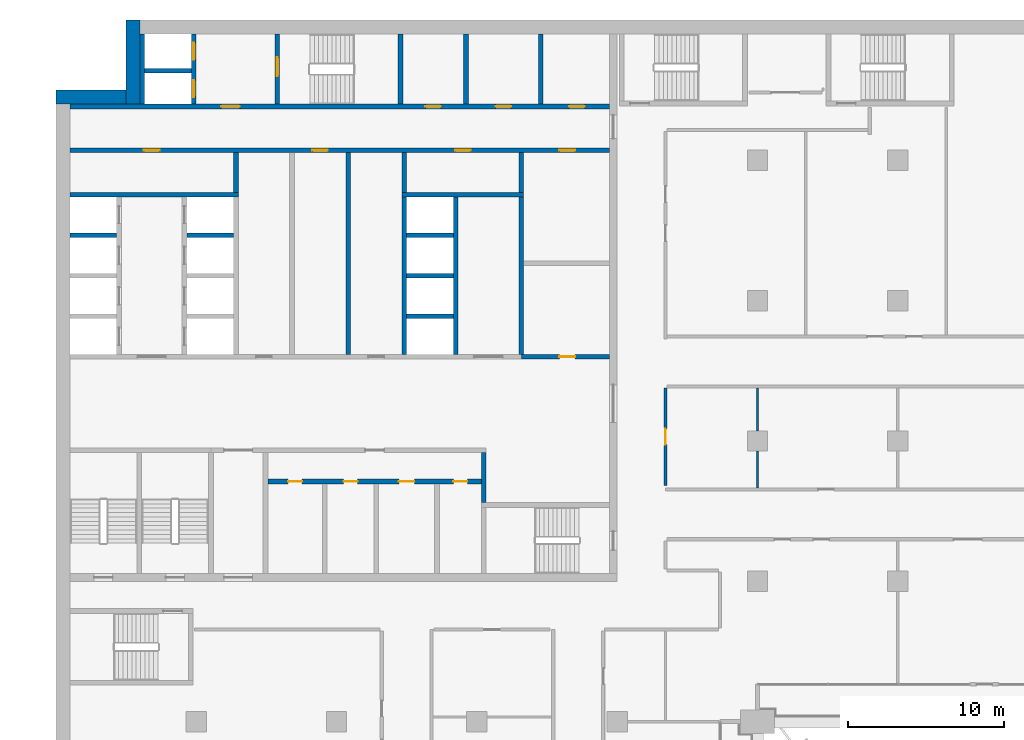
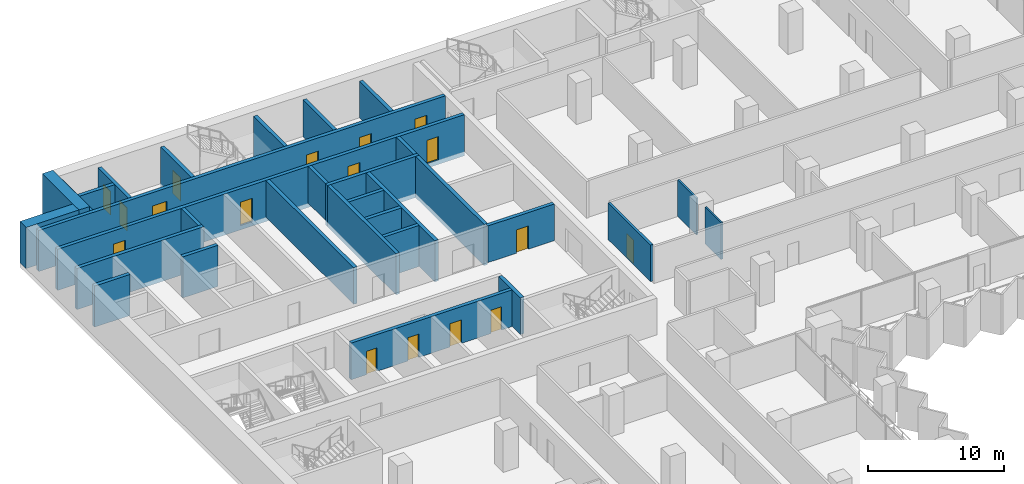
# One storey, part 13 of 23: 31 walls, 17 doors, 17 openings.
"""IFC4 building model written with IfcOpenShell, lengths in metres."""

from ifc_helpers import new_model, si_unit, direction, frame, frame_2d, origin, place, context, subcontext, project, spatial, rectangle, extrude, material, layer, layer_set, type_object, element, fill, save


model = new_model("IFC4")

# Units and contexts
model_context = context("Model", 3, precision=1e-05, world=origin(), true_north=direction((0.0, 1.0)))
body_context = subcontext(model_context, "Body", "Model", "MODEL_VIEW")
ifc_project = project(units=[si_unit("LENGTHUNIT", "METRE"), si_unit("AREAUNIT", "SQUARE_METRE"), si_unit("VOLUMEUNIT", "CUBIC_METRE"), si_unit("PLANEANGLEUNIT", "RADIAN"), si_unit("MASSUNIT", "GRAM", prefix="KILO")], contexts=[model_context])

# Site, building, storey
site_placement = place(None, origin())
site = spatial("IfcSite", under=ifc_project, at=site_placement, CompositionType="ELEMENT")
building_placement = place(site_placement, origin())
building = spatial("IfcBuilding", under=site, at=building_placement, Name="Hunhe Ridgeline Campus", CompositionType="ELEMENT")
storey_placement = place(building_placement, frame((0.0, 0.0, 99.60009765625)))
storey = spatial("IfcBuildingStorey", under=building, at=storey_placement, Name="L24", CompositionType="ELEMENT", Elevation=99.60009765625)

# Wall, openings, doors
ifc_material_1 = material(Name="Masonry concrete blockwork", Category="masonry")
ifc_layer_1 = layer(ifc_material_1, 0.300048828125)
ifc_layer_set_1 = layer_set([ifc_layer_1], Name="Core room partition 300 concrete block")
wall_type_1 = type_object("IfcWallType", Name="Core room partition 300 concrete block", PredefinedType="PARTITIONING", material=ifc_layer_set_1)
wall_1_placement = place(storey_placement, frame((13.60009765625, 69.39990234375, 0.0), z_axis=(0.0, 0.0, 1.0), x_axis=(1.0, 0.0, 0.0)))
wall_1 = element("IfcWall", 1, at=wall_1_placement, inside=storey, type_object=wall_type_1, Name="L24 core partition 9", PredefinedType="PARTITIONING", context=body_context, shape_type="SweptSolid", body=[
    extrude(rectangle(XDim=13.699951171875, YDim=0.300048828125, at=frame_2d((6.85009765625, 0.0))), origin(), (0.0, 0.0, 1.0), 3.2998046875),
])
opening_1_placement = place(wall_1_placement, frame((1.300048828125, 0.0, 0.0)))
opening_1 = element("IfcOpeningElement", 2, at=opening_1_placement, cuts=wall_1, Name="Opening CD8", PredefinedType="OPENING", context=body_context, shape_type="SweptSolid", body=[
    extrude(rectangle(XDim=0.89990234375, YDim=2.10009765625, at=frame_2d((0.449951171875, 1.050048828125))), frame((0.0, 0.14990234375, 0.0), z_axis=(0.0, -1.0, 0.0), x_axis=(1.0, 0.0, 0.0)), (0.0, 0.0, 1.0), 0.300048828125),
])
opening_2_placement = place(wall_1_placement, frame((4.85009765625, 0.0, 0.0)))
opening_2 = element("IfcOpeningElement", 3, at=opening_2_placement, cuts=wall_1, Name="Opening CD9", PredefinedType="OPENING", context=body_context, shape_type="SweptSolid", body=[
    extrude(rectangle(XDim=0.89990234375, YDim=2.10009765625, at=frame_2d((0.449951171875, 1.050048828125))), frame((0.0, 0.14990234375, 0.0), z_axis=(0.0, -1.0, 0.0), x_axis=(1.0, 0.0, 0.0)), (0.0, 0.0, 1.0), 0.300048828125),
])
opening_3_placement = place(wall_1_placement, frame((8.39990234375, 0.0, 0.0)))
opening_3 = element("IfcOpeningElement", 4, at=opening_3_placement, cuts=wall_1, Name="Opening CD10", PredefinedType="OPENING", context=body_context, shape_type="SweptSolid", body=[
    extrude(rectangle(XDim=1.0, YDim=2.10009765625, at=frame_2d((0.5, 1.050048828125))), frame((0.0, 0.14990234375, 0.0), z_axis=(0.0, -1.0, 0.0), x_axis=(1.0, 0.0, 0.0)), (0.0, 0.0, 1.0), 0.300048828125),
])
opening_4_placement = place(wall_1_placement, frame((11.89990234375, 0.0, 0.0)))
opening_4 = element("IfcOpeningElement", 5, at=opening_4_placement, cuts=wall_1, Name="Opening CD11", PredefinedType="OPENING", context=body_context, shape_type="SweptSolid", body=[
    extrude(rectangle(XDim=0.89990234375, YDim=2.10009765625, at=frame_2d((0.449951171875, 1.050048828125))), frame((0.0, 0.14990234375, 0.0), z_axis=(0.0, -1.0, 0.0), x_axis=(1.0, 0.0, 0.0)), (0.0, 0.0, 1.0), 0.300048828125),
])
ifc_material_2 = material(Name="Solid core timber door leaf", Category="wood")
door_type_1 = type_object("IfcDoorType", Name="Timber door 1000x2100", OperationType="SINGLE_SWING_LEFT", PredefinedType="DOOR", material=ifc_material_2)
door_1_placement = place(opening_3_placement, frame((1.0, 0.0, 0.0), z_axis=(0.0, 0.0, 1.0), x_axis=(-1.0, 0.0, 0.0)))
door_1 = element("IfcDoor", 6, at=door_1_placement, inside=storey, type_object=door_type_1, Name="L24 door WC3", OperationType="SINGLE_SWING_RIGHT", OverallHeight=2.10009765625, OverallWidth=1.0, PredefinedType="DOOR", context=body_context, shape_type="SweptSolid", body=[
    extrude(rectangle(XDim=1.0, YDim=2.10009765625, at=frame_2d((0.5, 1.050048828125))), frame((0.0, 0.02490234375, 0.0), z_axis=(0.0, -1.0, 0.0), x_axis=(1.0, 0.0, 0.0)), (0.0, 0.0, 1.0), 0.050048828125),
])
fill(opening_3, door_1)
door_type_2 = type_object("IfcDoorType", Name="Timber door 900x2100", OperationType="SINGLE_SWING_LEFT", PredefinedType="DOOR", material=ifc_material_2)
door_2_placement = place(opening_1_placement, frame((0.89990234375, 0.0, 0.0), z_axis=(0.0, 0.0, 1.0), x_axis=(-1.0, 0.0, 0.0)))
door_2 = element("IfcDoor", 7, at=door_2_placement, inside=storey, type_object=door_type_2, Name="L24 door WC1", OperationType="SINGLE_SWING_RIGHT", OverallHeight=2.10009765625, OverallWidth=0.89990234375, PredefinedType="DOOR", context=body_context, shape_type="SweptSolid", body=[
    extrude(rectangle(XDim=0.89990234375, YDim=2.10009765625, at=frame_2d((0.449951171875, 1.050048828125))), frame((0.0, 0.02490234375, 0.0), z_axis=(0.0, -1.0, 0.0), x_axis=(1.0, 0.0, 0.0)), (0.0, 0.0, 1.0), 0.050048828125),
])
fill(opening_1, door_2)
door_3_placement = place(opening_2_placement, frame((0.89990234375, 0.0, 0.0), z_axis=(0.0, 0.0, 1.0), x_axis=(-1.0, 0.0, 0.0)))
door_3 = element("IfcDoor", 8, at=door_3_placement, inside=storey, type_object=door_type_2, Name="L24 door WC2", OperationType="SINGLE_SWING_LEFT", OverallHeight=2.10009765625, OverallWidth=0.89990234375, PredefinedType="DOOR", context=body_context, shape_type="SweptSolid", body=[
    extrude(rectangle(XDim=0.89990234375, YDim=2.10009765625, at=frame_2d((0.449951171875, 1.050048828125))), frame((0.0, 0.02490234375, 0.0), z_axis=(0.0, -1.0, 0.0), x_axis=(1.0, 0.0, 0.0)), (0.0, 0.0, 1.0), 0.050048828125),
])
fill(opening_2, door_3)
door_4_placement = place(opening_4_placement, frame((0.89990234375, 0.0, 0.0), z_axis=(0.0, 0.0, 1.0), x_axis=(-1.0, 0.0, 0.0)))
door_4 = element("IfcDoor", 9, at=door_4_placement, inside=storey, type_object=door_type_2, Name="L24 door WC4", OperationType="SINGLE_SWING_LEFT", OverallHeight=2.10009765625, OverallWidth=0.89990234375, PredefinedType="DOOR", context=body_context, shape_type="SweptSolid", body=[
    extrude(rectangle(XDim=0.89990234375, YDim=2.10009765625, at=frame_2d((0.449951171875, 1.050048828125))), frame((0.0, 0.02490234375, 0.0), z_axis=(0.0, -1.0, 0.0), x_axis=(1.0, 0.0, 0.0)), (0.0, 0.0, 1.0), 0.050048828125),
])
fill(opening_4, door_4)

# Wall, opening, door
wall_2_placement = place(storey_placement, frame((29.85009765625, 77.39990234375, 0.0), z_axis=(0.0, 0.0, 1.0), x_axis=(1.0, 0.0, 0.0)))
wall_2 = element("IfcWall", 10, at=wall_2_placement, inside=storey, type_object=wall_type_1, Name="L24 core partition 13", PredefinedType="PARTITIONING", context=body_context, shape_type="SweptSolid", body=[
    extrude(rectangle(XDim=5.64990234375, YDim=0.300048828125, at=frame_2d((2.824951171875, 0.0))), origin(), (0.0, 0.0, 1.0), 3.2998046875),
])
opening_5_placement = place(wall_2_placement, frame((2.449951171875, 0.0, 0.0)))
opening_5 = element("IfcOpeningElement", 11, at=opening_5_placement, cuts=wall_2, Name="Opening CD32", PredefinedType="OPENING", context=body_context, shape_type="SweptSolid", body=[
    extrude(rectangle(XDim=1.0, YDim=2.10009765625, at=frame_2d((0.5, 1.050048828125))), frame((0.0, 0.14990234375, 0.0), z_axis=(0.0, -1.0, 0.0), x_axis=(1.0, 0.0, 0.0)), (0.0, 0.0, 1.0), 0.300048828125),
])
door_5_placement = place(opening_5_placement, origin())
door_5 = element("IfcDoor", 12, at=door_5_placement, inside=storey, type_object=door_type_1, Name="L24 door ES0", OperationType="SINGLE_SWING_LEFT", OverallHeight=2.10009765625, OverallWidth=1.0, PredefinedType="DOOR", context=body_context, shape_type="SweptSolid", body=[
    extrude(rectangle(XDim=1.0, YDim=2.10009765625, at=frame_2d((0.5, 1.050048828125))), frame((0.0, 0.02490234375, 0.0), z_axis=(0.0, -1.0, 0.0), x_axis=(1.0, 0.0, 0.0)), (0.0, 0.0, 1.0), 0.050048828125),
])
fill(opening_5, door_5)

# Walls
wall_3_placement = place(storey_placement, frame((11.550048828125, 87.949951171875, 0.0), z_axis=(0.0, 0.0, 1.0), x_axis=(0.0, 1.0, 0.0)))
element("IfcWall", 13, at=wall_3_placement, inside=storey, type_object=wall_type_1, Name="L24 core partition 41", PredefinedType="PARTITIONING", context=body_context, shape_type="SweptSolid", body=[
    extrude(rectangle(XDim=2.550048828125, YDim=0.300048828125, at=frame_2d((1.27490234375, 0.0))), origin(), (0.0, 0.0, 1.0), 3.2998046875),
])
wall_4_placement = place(storey_placement, frame((18.75, 77.550048828125, 0.0), z_axis=(0.0, 0.0, 1.0), x_axis=(0.0, 1.0, 0.0)))
element("IfcWall", 14, at=wall_4_placement, inside=storey, type_object=wall_type_1, Name="L24 core partition 46", PredefinedType="PARTITIONING", context=body_context, shape_type="SweptSolid", body=[
    extrude(rectangle(XDim=12.949951171875, YDim=0.300048828125, at=frame_2d((6.47509765625, 0.0))), origin(), (0.0, 0.0, 1.0), 3.2998046875),
])
wall_5_placement = place(storey_placement, frame((22.35009765625, 87.949951171875, 0.0), z_axis=(0.0, 0.0, 1.0), x_axis=(0.0, 1.0, 0.0)))
element("IfcWall", 15, at=wall_5_placement, inside=storey, type_object=wall_type_1, Name="L24 core partition 51", PredefinedType="PARTITIONING", context=body_context, shape_type="SweptSolid", body=[
    extrude(rectangle(XDim=2.550048828125, YDim=0.300048828125, at=frame_2d((1.27490234375, 0.0))), origin(), (0.0, 0.0, 1.0), 3.2998046875),
])
wall_6_placement = place(storey_placement, frame((26.300048828125, 93.60009765625, 0.0), z_axis=(0.0, 0.0, 1.0), x_axis=(0.0, 1.0, 0.0)))
element("IfcWall", 16, at=wall_6_placement, inside=storey, type_object=wall_type_1, Name="L24 core partition 55", PredefinedType="PARTITIONING", context=body_context, shape_type="SweptSolid", body=[
    extrude(rectangle(XDim=4.5, YDim=0.300048828125, at=frame_2d((2.25, 0.0))), origin(), (0.0, 0.0, 1.0), 3.2998046875),
])
wall_7_placement = place(storey_placement, frame((27.449951171875, 68.050048828125, 0.0), z_axis=(0.0, 0.0, 1.0), x_axis=(0.0, 1.0, 0.0)))
element("IfcWall", 17, at=wall_7_placement, inside=storey, type_object=wall_type_1, Name="L24 core partition 57", PredefinedType="PARTITIONING", context=body_context, shape_type="SweptSolid", body=[
    extrude(rectangle(XDim=3.199951171875, YDim=0.300048828125, at=frame_2d((1.60009765625, 0.0))), origin(), (0.0, 0.0, 1.0), 3.2998046875),
])
wall_8_placement = place(storey_placement, frame((29.85009765625, 87.949951171875, 0.0), z_axis=(0.0, 0.0, 1.0), x_axis=(0.0, 1.0, 0.0)))
element("IfcWall", 18, at=wall_8_placement, inside=storey, type_object=wall_type_1, Name="L24 core partition 59", PredefinedType="PARTITIONING", context=body_context, shape_type="SweptSolid", body=[
    extrude(rectangle(XDim=2.550048828125, YDim=0.300048828125, at=frame_2d((1.27490234375, 0.0))), origin(), (0.0, 0.0, 1.0), 3.2998046875),
])
wall_9_placement = place(storey_placement, frame((31.10009765625, 93.60009765625, 0.0), z_axis=(0.0, 0.0, 1.0), x_axis=(0.0, 1.0, 0.0)))
element("IfcWall", 19, at=wall_9_placement, inside=storey, type_object=wall_type_1, Name="L24 core partition 60", PredefinedType="PARTITIONING", context=body_context, shape_type="SweptSolid", body=[
    extrude(rectangle(XDim=4.5, YDim=0.300048828125, at=frame_2d((2.25, 0.0))), origin(), (0.0, 0.0, 1.0), 3.2998046875),
])

# Wall, opening, door
ifc_material_3 = material(Name="Gypsum board partition")
ifc_layer_2 = layer(ifc_material_3, 0.199951171875)
ifc_layer_set_2 = layer_set([ifc_layer_2], Name="Corridor partition 200 gypsum board on steel studs")
wall_type_2 = type_object("IfcWallType", Name="Corridor partition 200 gypsum board on steel studs", PredefinedType="PARTITIONING", material=ifc_layer_set_2)
wall_10_placement = place(storey_placement, frame((39.10009765625, 75.39990234375, 0.0), z_axis=(0.0, 0.0, 1.0), x_axis=(0.0, -1.0, 0.0)))
wall_10 = element("IfcWall", 20, at=wall_10_placement, inside=storey, type_object=wall_type_2, Name="F-L24-wall-053", PredefinedType="PARTITIONING", context=body_context, shape_type="SweptSolid", body=[
    extrude(rectangle(XDim=6.255615234375, YDim=0.199951171875, at=frame_2d((3.1279296875, 0.0))), origin(), (0.0, 0.0, 1.0), 3.2998046875),
])
opening_6_placement = place(wall_10_placement, frame((2.6279296875, 0.0, 0.0)))
opening_6 = element("IfcOpeningElement", 21, at=opening_6_placement, cuts=wall_10, Name="Opening RD1-028", PredefinedType="OPENING", context=body_context, shape_type="SweptSolid", body=[
    extrude(rectangle(XDim=1.0, YDim=2.10009765625, at=frame_2d((0.5, 1.050048828125))), frame((0.0, 0.10009765625, 0.0), z_axis=(0.0, -1.0, 0.0), x_axis=(1.0, 0.0, 0.0)), (0.0, 0.0, 1.0), 0.199951171875),
])
ifc_material_4 = material(Name="Timber door leaf", Category="wood")
door_type_3 = type_object("IfcDoorType", Name="Single fire door 1000x2100 timber FD60", OperationType="NOTDEFINED", PredefinedType="DOOR", material=ifc_material_4)
door_6_placement = place(opening_6_placement, origin())
door_6 = element("IfcDoor", 22, at=door_6_placement, inside=storey, type_object=door_type_3, Name="F-L24-door-028", OperationType="SINGLE_SWING_RIGHT", OverallHeight=2.10009765625, OverallWidth=1.0, PredefinedType="DOOR", context=body_context, shape_type="SweptSolid", body=[
    extrude(rectangle(XDim=1.0, YDim=2.10009765625, at=frame_2d((0.5, 1.050048828125))), frame((0.0, 0.02490234375, 0.0), z_axis=(0.0, -1.0, 0.0), x_axis=(1.0, 0.0, 0.0)), (0.0, 0.0, 1.0), 0.050048828125),
])
fill(opening_6, door_6)

# Wall, openings, doors
ifc_material_5 = material(Name="Concrete C80", Category="concrete")
ifc_layer_3 = layer(ifc_material_5, 0.300048828125)
ifc_layer_set_3 = layer_set([ifc_layer_3], Name="Lobby wall 300 reinforced concrete C80")
wall_type_3 = type_object("IfcWallType", Name="Lobby wall 300 reinforced concrete C80", PredefinedType="SOLIDWALL", material=ifc_layer_set_3)
wall_11_placement = place(storey_placement, frame((0.89990234375, 90.64990234375, -0.400146484375), z_axis=(0.0, 0.0, 1.0), x_axis=(1.0, 0.0, 0.0)))
wall_11 = element("IfcWall", 23, at=wall_11_placement, inside=storey, type_object=wall_type_3, Name="L24 core wall 26", PredefinedType="SOLIDWALL", context=body_context, shape_type="SweptSolid", body=[
    extrude(rectangle(XDim=34.60009765625, YDim=0.300048828125, at=frame_2d((17.300048828125, 0.0))), origin(), (0.0, 0.0, 1.0), 3.699951171875),
])
opening_7_placement = place(wall_11_placement, frame((4.75, 0.0, 0.39990234375)))
opening_7 = element("IfcOpeningElement", 24, at=opening_7_placement, cuts=wall_11, Name="Opening CD26", PredefinedType="OPENING", context=body_context, shape_type="SweptSolid", body=[
    extrude(rectangle(XDim=1.0, YDim=2.10009765625, at=frame_2d((0.5, 1.050048828125))), frame((0.0, 0.14990234375, 0.0), z_axis=(0.0, -1.0, 0.0), x_axis=(1.0, 0.0, 0.0)), (0.0, 0.0, 1.0), 0.300048828125),
])
opening_8_placement = place(wall_11_placement, frame((24.699951171875, 0.0, 0.39990234375)))
opening_8 = element("IfcOpeningElement", 25, at=opening_8_placement, cuts=wall_11, Name="Opening CD27", PredefinedType="OPENING", context=body_context, shape_type="SweptSolid", body=[
    extrude(rectangle(XDim=1.0, YDim=2.10009765625, at=frame_2d((0.5, 1.050048828125))), frame((0.0, 0.14990234375, 0.0), z_axis=(0.0, -1.0, 0.0), x_axis=(1.0, 0.0, 0.0)), (0.0, 0.0, 1.0), 0.300048828125),
])
opening_9_placement = place(wall_11_placement, frame((15.550048828125, 0.0, 0.39990234375)))
opening_9 = element("IfcOpeningElement", 26, at=opening_9_placement, cuts=wall_11, Name="Opening CD29", PredefinedType="OPENING", context=body_context, shape_type="SweptSolid", body=[
    extrude(rectangle(XDim=1.0, YDim=2.10009765625, at=frame_2d((0.5, 1.050048828125))), frame((0.0, 0.14990234375, 0.0), z_axis=(0.0, -1.0, 0.0), x_axis=(1.0, 0.0, 0.0)), (0.0, 0.0, 1.0), 0.300048828125),
])
opening_10_placement = place(wall_11_placement, frame((31.39990234375, 0.0, 0.39990234375)))
opening_10 = element("IfcOpeningElement", 27, at=opening_10_placement, cuts=wall_11, Name="Opening CD33", PredefinedType="OPENING", context=body_context, shape_type="SweptSolid", body=[
    extrude(rectangle(XDim=1.0, YDim=2.10009765625, at=frame_2d((0.5, 1.050048828125))), frame((0.0, 0.14990234375, 0.0), z_axis=(0.0, -1.0, 0.0), x_axis=(1.0, 0.0, 0.0)), (0.0, 0.0, 1.0), 0.300048828125),
])
door_7_placement = place(opening_7_placement, frame((1.0, 0.0, 0.0), z_axis=(0.0, 0.0, 1.0), x_axis=(-1.0, 0.0, 0.0)))
door_7 = element("IfcDoor", 28, at=door_7_placement, inside=storey, type_object=door_type_1, Name="L24 door NR-0", OperationType="SINGLE_SWING_RIGHT", OverallHeight=2.10009765625, OverallWidth=1.0, PredefinedType="DOOR", context=body_context, shape_type="SweptSolid", body=[
    extrude(rectangle(XDim=1.0, YDim=2.10009765625, at=frame_2d((0.5, 1.050048828125))), frame((0.0, 0.02490234375, 0.0), z_axis=(0.0, -1.0, 0.0), x_axis=(1.0, 0.0, 0.0)), (0.0, 0.0, 1.0), 0.050048828125),
])
fill(opening_7, door_7)
door_8_placement = place(opening_8_placement, frame((1.0, 0.0, 0.0), z_axis=(0.0, 0.0, 1.0), x_axis=(-1.0, 0.0, 0.0)))
door_8 = element("IfcDoor", 29, at=door_8_placement, inside=storey, type_object=door_type_1, Name="L24 door NR-1", OperationType="SINGLE_SWING_LEFT", OverallHeight=2.10009765625, OverallWidth=1.0, PredefinedType="DOOR", context=body_context, shape_type="SweptSolid", body=[
    extrude(rectangle(XDim=1.0, YDim=2.10009765625, at=frame_2d((0.5, 1.050048828125))), frame((0.0, 0.02490234375, 0.0), z_axis=(0.0, -1.0, 0.0), x_axis=(1.0, 0.0, 0.0)), (0.0, 0.0, 1.0), 0.050048828125),
])
fill(opening_8, door_8)
door_9_placement = place(opening_9_placement, frame((1.0, 0.0, 0.0), z_axis=(0.0, 0.0, 1.0), x_axis=(-1.0, 0.0, 0.0)))
door_9 = element("IfcDoor", 30, at=door_9_placement, inside=storey, type_object=door_type_1, Name="L24 door VD-HR1", OperationType="SINGLE_SWING_LEFT", OverallHeight=2.10009765625, OverallWidth=1.0, PredefinedType="DOOR", context=body_context, shape_type="SweptSolid", body=[
    extrude(rectangle(XDim=1.0, YDim=2.10009765625, at=frame_2d((0.5, 1.050048828125))), frame((0.0, 0.02490234375, 0.0), z_axis=(0.0, -1.0, 0.0), x_axis=(1.0, 0.0, 0.0)), (0.0, 0.0, 1.0), 0.050048828125),
])
fill(opening_9, door_9)
door_10_placement = place(opening_10_placement, frame((1.0, 0.0, 0.0), z_axis=(0.0, 0.0, 1.0), x_axis=(-1.0, 0.0, 0.0)))
door_10 = element("IfcDoor", 31, at=door_10_placement, inside=storey, type_object=door_type_1, Name="L24 door ES1", OperationType="SINGLE_SWING_LEFT", OverallHeight=2.10009765625, OverallWidth=1.0, PredefinedType="DOOR", context=body_context, shape_type="SweptSolid", body=[
    extrude(rectangle(XDim=1.0, YDim=2.10009765625, at=frame_2d((0.5, 1.050048828125))), frame((0.0, 0.02490234375, 0.0), z_axis=(0.0, -1.0, 0.0), x_axis=(1.0, 0.0, 0.0)), (0.0, 0.0, 1.0), 0.050048828125),
])
fill(opening_10, door_10)

# Walls
wall_12_placement = place(storey_placement, frame((29.85009765625, 77.550048828125, -0.400146484375), z_axis=(0.0, 0.0, 1.0), x_axis=(0.0, 1.0, 0.0)))
element("IfcWall", 32, at=wall_12_placement, inside=storey, type_object=wall_type_3, Name="L24 core wall 58", PredefinedType="SOLIDWALL", context=body_context, shape_type="SweptSolid", body=[
    extrude(rectangle(XDim=10.099853515625, YDim=0.300048828125, at=frame_2d((5.0498046875, 0.0))), origin(), (0.0, 0.0, 1.0), 3.699951171875),
])
ifc_layer_4 = layer(ifc_material_3, 0.14990234375)
ifc_layer_set_4 = layer_set([ifc_layer_4], Name="Room partition 150 gypsum board on steel studs")
wall_type_4 = type_object("IfcWallType", Name="Room partition 150 gypsum board on steel studs", PredefinedType="PARTITIONING", material=ifc_layer_set_4)
wall_13_placement = place(storey_placement, frame((45.0, 71.35009765625, 0.0), z_axis=(0.0, 0.0, 1.0), x_axis=(0.0, -1.0, 0.0)))
element("IfcWall", 33, at=wall_13_placement, inside=storey, type_object=wall_type_4, Name="F-L24-wall-056", PredefinedType="PARTITIONING", context=body_context, shape_type="SweptSolid", body=[
    extrude(rectangle(XDim=2.35009765625, YDim=0.14990234375, at=frame_2d((1.175048828125, 0.0))), origin(), (0.0, 0.0, 1.0), 3.2998046875),
])
wall_14_placement = place(storey_placement, frame((45.0, 75.39990234375, 0.0), z_axis=(0.0, 0.0, 1.0), x_axis=(0.0, -1.0, 0.0)))
element("IfcWall", 34, at=wall_14_placement, inside=storey, type_object=wall_type_4, Name="F-L24-wall-057", PredefinedType="PARTITIONING", context=body_context, shape_type="SweptSolid", body=[
    extrude(rectangle(XDim=2.75, YDim=0.14990234375, at=frame_2d((1.375, 0.0))), origin(), (0.0, 0.0, 1.0), 3.2998046875),
])
ifc_layer_5 = layer(ifc_material_5, 0.300048828125)
ifc_layer_set_5 = layer_set([ifc_layer_5], Name="Shaft wall 300 reinforced concrete C80")
wall_type_5 = type_object("IfcWallType", Name="Shaft wall 300 reinforced concrete C80", PredefinedType="SOLIDWALL", material=ifc_layer_set_5)
for number, where, z_axis, x_axis, name in (
    (35, (22.5, 80.0, -0.400146484375), (0.0, 0.0, 1.0), (1.0, 0.0, 0.0), "L24 core wall 16"),
    (36, (22.5, 82.60009765625, -0.400146484375), (0.0, 0.0, 1.0), (1.0, 0.0, 0.0), "L24 core wall 19"),
    (37, (0.89990234375, 85.199951171875, -0.400146484375), (0.0, 0.0, 1.0), (1.0, 0.0, 0.0), "L24 core wall 21"),
    (38, (8.39990234375, 85.199951171875, -0.400146484375), (0.0, 0.0, 1.0), (1.0, 0.0, 0.0), "L24 core wall 22"),
    (39, (22.5, 85.199951171875, -0.400146484375), (0.0, 0.0, 1.0), (1.0, 0.0, 0.0), "L24 core wall 23"),
):
    element("IfcWall", number, at=place(storey_placement, frame(where, z_axis=z_axis, x_axis=x_axis)), inside=storey, type_object=wall_type_5, Name=name, PredefinedType="SOLIDWALL", context=body_context, shape_type="SweptSolid", body=[
        extrude(rectangle(XDim=3.0, YDim=0.300048828125, at=frame_2d((1.5, 0.0))), origin(), (0.0, 0.0, 1.0), 3.699951171875),
    ])
wall_15_placement = place(storey_placement, frame((0.89990234375, 87.800048828125, -0.400146484375), z_axis=(0.0, 0.0, 1.0), x_axis=(1.0, 0.0, 0.0)))
element("IfcWall", 40, at=wall_15_placement, inside=storey, type_object=wall_type_5, Name="L24 core wall 24", PredefinedType="SOLIDWALL", context=body_context, shape_type="SweptSolid", body=[
    extrude(rectangle(XDim=10.800048828125, YDim=0.300048828125, at=frame_2d((5.39990234375, 0.0))), origin(), (0.0, 0.0, 1.0), 3.699951171875),
])
wall_16_placement = place(storey_placement, frame((22.199951171875, 87.800048828125, -0.400146484375), z_axis=(0.0, 0.0, 1.0), x_axis=(1.0, 0.0, 0.0)))
element("IfcWall", 41, at=wall_16_placement, inside=storey, type_object=wall_type_5, Name="L24 core wall 25", PredefinedType="SOLIDWALL", context=body_context, shape_type="SweptSolid", body=[
    extrude(rectangle(XDim=7.800048828125, YDim=0.300048828125, at=frame_2d((3.89990234375, 0.0))), origin(), (0.0, 0.0, 1.0), 3.699951171875),
])

# Wall, openings, doors
wall_17_placement = place(storey_placement, frame((0.89990234375, 93.449951171875, -0.400146484375), z_axis=(0.0, 0.0, 1.0), x_axis=(1.0, 0.0, 0.0)))
wall_17 = element("IfcWall", 42, at=wall_17_placement, inside=storey, type_object=wall_type_5, Name="L24 core wall 27", PredefinedType="SOLIDWALL", context=body_context, shape_type="SweptSolid", body=[
    extrude(rectangle(XDim=34.60009765625, YDim=0.300048828125, at=frame_2d((17.300048828125, 0.0))), origin(), (0.0, 0.0, 1.0), 3.699951171875),
])
opening_11_placement = place(wall_17_placement, frame((9.699951171875, 0.0, 0.39990234375)))
opening_11 = element("IfcOpeningElement", 43, at=opening_11_placement, cuts=wall_17, Name="Opening CD3", PredefinedType="OPENING", context=body_context, shape_type="SweptSolid", body=[
    extrude(rectangle(XDim=1.199951171875, YDim=2.10009765625, at=frame_2d((0.60009765625, 1.050048828125))), frame((0.0, 0.14990234375, 0.0), z_axis=(0.0, -1.0, 0.0), x_axis=(1.0, 0.0, 0.0)), (0.0, 0.0, 1.0), 0.300048828125),
])
opening_12_placement = place(wall_17_placement, frame((22.800048828125, 0.0, 0.39990234375)))
opening_12 = element("IfcOpeningElement", 44, at=opening_12_placement, cuts=wall_17, Name="Opening CD34", PredefinedType="OPENING", context=body_context, shape_type="SweptSolid", body=[
    extrude(rectangle(XDim=1.0, YDim=2.10009765625, at=frame_2d((0.5, 1.050048828125))), frame((0.0, 0.14990234375, 0.0), z_axis=(0.0, -1.0, 0.0), x_axis=(1.0, 0.0, 0.0)), (0.0, 0.0, 1.0), 0.300048828125),
])
opening_13_placement = place(wall_17_placement, frame((27.300048828125, 0.0, 0.39990234375)))
opening_13 = element("IfcOpeningElement", 45, at=opening_13_placement, cuts=wall_17, Name="Opening CD35", PredefinedType="OPENING", context=body_context, shape_type="SweptSolid", body=[
    extrude(rectangle(XDim=1.0, YDim=2.10009765625, at=frame_2d((0.5, 1.050048828125))), frame((0.0, 0.14990234375, 0.0), z_axis=(0.0, -1.0, 0.0), x_axis=(1.0, 0.0, 0.0)), (0.0, 0.0, 1.0), 0.300048828125),
])
opening_14_placement = place(wall_17_placement, frame((32.02490234375, 0.0, 0.39990234375)))
opening_14 = element("IfcOpeningElement", 46, at=opening_14_placement, cuts=wall_17, Name="Opening CD36", PredefinedType="OPENING", context=body_context, shape_type="SweptSolid", body=[
    extrude(rectangle(XDim=1.0, YDim=2.10009765625, at=frame_2d((0.5, 1.050048828125))), frame((0.0, 0.14990234375, 0.0), z_axis=(0.0, -1.0, 0.0), x_axis=(1.0, 0.0, 0.0)), (0.0, 0.0, 1.0), 0.300048828125),
])
ifc_material_6 = material(Name="Hollow metal fire door leaf")
door_type_4 = type_object("IfcDoorType", Name="Lobby door 1200x2100 FD60", OperationType="SINGLE_SWING_LEFT", PredefinedType="DOOR", material=ifc_material_6)
door_11_placement = place(opening_11_placement, frame((1.199951171875, 0.0, 0.0), z_axis=(0.0, 0.0, 1.0), x_axis=(-1.0, 0.0, 0.0)))
door_11 = element("IfcDoor", 47, at=door_11_placement, inside=storey, type_object=door_type_4, Name="L24 door FF-C1", OperationType="SINGLE_SWING_LEFT", OverallHeight=2.10009765625, OverallWidth=1.199951171875, PredefinedType="DOOR", context=body_context, shape_type="SweptSolid", body=[
    extrude(rectangle(XDim=1.199951171875, YDim=2.10009765625, at=frame_2d((0.60009765625, 1.050048828125))), frame((0.0, 0.02490234375, 0.0), z_axis=(0.0, -1.0, 0.0), x_axis=(1.0, 0.0, 0.0)), (0.0, 0.0, 1.0), 0.050048828125),
])
fill(opening_11, door_11)
door_12_placement = place(opening_12_placement, origin())
door_12 = element("IfcDoor", 48, at=door_12_placement, inside=storey, type_object=door_type_1, Name="L24 door NB0", OperationType="SINGLE_SWING_LEFT", OverallHeight=2.10009765625, OverallWidth=1.0, PredefinedType="DOOR", context=body_context, shape_type="SweptSolid", body=[
    extrude(rectangle(XDim=1.0, YDim=2.10009765625, at=frame_2d((0.5, 1.050048828125))), frame((0.0, 0.02490234375, 0.0), z_axis=(0.0, -1.0, 0.0), x_axis=(1.0, 0.0, 0.0)), (0.0, 0.0, 1.0), 0.050048828125),
])
fill(opening_12, door_12)
door_13_placement = place(opening_13_placement, origin())
door_13 = element("IfcDoor", 49, at=door_13_placement, inside=storey, type_object=door_type_1, Name="L24 door NB1", OperationType="SINGLE_SWING_RIGHT", OverallHeight=2.10009765625, OverallWidth=1.0, PredefinedType="DOOR", context=body_context, shape_type="SweptSolid", body=[
    extrude(rectangle(XDim=1.0, YDim=2.10009765625, at=frame_2d((0.5, 1.050048828125))), frame((0.0, 0.02490234375, 0.0), z_axis=(0.0, -1.0, 0.0), x_axis=(1.0, 0.0, 0.0)), (0.0, 0.0, 1.0), 0.050048828125),
])
fill(opening_13, door_13)
door_14_placement = place(opening_14_placement, origin())
door_14 = element("IfcDoor", 50, at=door_14_placement, inside=storey, type_object=door_type_1, Name="L24 door NB2", OperationType="SINGLE_SWING_LEFT", OverallHeight=2.10009765625, OverallWidth=1.0, PredefinedType="DOOR", context=body_context, shape_type="SweptSolid", body=[
    extrude(rectangle(XDim=1.0, YDim=2.10009765625, at=frame_2d((0.5, 1.050048828125))), frame((0.0, 0.02490234375, 0.0), z_axis=(0.0, -1.0, 0.0), x_axis=(1.0, 0.0, 0.0)), (0.0, 0.0, 1.0), 0.050048828125),
])
fill(opening_14, door_14)

# Walls
wall_18_placement = place(storey_placement, frame((5.699951171875, 95.75, -0.400146484375), z_axis=(0.0, 0.0, 1.0), x_axis=(1.0, 0.0, 0.0)))
element("IfcWall", 51, at=wall_18_placement, inside=storey, type_object=wall_type_5, Name="L24 core wall 31", PredefinedType="SOLIDWALL", context=body_context, shape_type="SweptSolid", body=[
    extrude(rectangle(XDim=3.0, YDim=0.300048828125, at=frame_2d((1.5, 0.0))), origin(), (0.0, 0.0, 1.0), 3.699951171875),
])
wall_19_placement = place(storey_placement, frame((5.550048828125, 93.60009765625, -0.400146484375), z_axis=(0.0, 0.0, 1.0), x_axis=(0.0, 1.0, 0.0)))
element("IfcWall", 52, at=wall_19_placement, inside=storey, type_object=wall_type_5, Name="L24 core wall 34", PredefinedType="SOLIDWALL", context=body_context, shape_type="SweptSolid", body=[
    extrude(rectangle(XDim=4.5, YDim=0.300048828125, at=frame_2d((2.25, 0.0))), origin(), (0.0, 0.0, 1.0), 3.699951171875),
])

# Wall, openings, doors
wall_20_placement = place(storey_placement, frame((8.85009765625, 93.60009765625, -0.400146484375), z_axis=(0.0, 0.0, 1.0), x_axis=(0.0, 1.0, 0.0)))
wall_20 = element("IfcWall", 53, at=wall_20_placement, inside=storey, type_object=wall_type_5, Name="L24 core wall 38", PredefinedType="SOLIDWALL", context=body_context, shape_type="SweptSolid", body=[
    extrude(rectangle(XDim=4.5, YDim=0.300048828125, at=frame_2d((2.25, 0.0))), origin(), (0.0, 0.0, 1.0), 3.699951171875),
])
opening_15_placement = place(wall_20_placement, frame((0.449951171875, 0.0, 0.39990234375)))
opening_15 = element("IfcOpeningElement", 54, at=opening_15_placement, cuts=wall_20, Name="Opening LD-FF1", PredefinedType="OPENING", context=body_context, shape_type="SweptSolid", body=[
    extrude(rectangle(XDim=1.10009765625, YDim=2.10009765625, at=frame_2d((0.550048828125, 1.050048828125))), frame((0.0, 0.14990234375, 0.0), z_axis=(0.0, -1.0, 0.0), x_axis=(1.0, 0.0, 0.0)), (0.0, 0.0, 1.0), 0.300048828125),
])
opening_16_placement = place(wall_20_placement, frame((2.85009765625, 0.0, 0.39990234375)))
opening_16 = element("IfcOpeningElement", 55, at=opening_16_placement, cuts=wall_20, Name="Opening LD-FF2", PredefinedType="OPENING", context=body_context, shape_type="SweptSolid", body=[
    extrude(rectangle(XDim=1.10009765625, YDim=2.10009765625, at=frame_2d((0.550048828125, 1.050048828125))), frame((0.0, 0.14990234375, 0.0), z_axis=(0.0, -1.0, 0.0), x_axis=(1.0, 0.0, 0.0)), (0.0, 0.0, 1.0), 0.300048828125),
])
ifc_material_7 = material(Name="Stainless steel sliding leaves", Category="steel")
door_type_5 = type_object("IfcDoorType", Name="Landing door 1100x2100 FD120", OperationType="SLIDING_TO_LEFT", PredefinedType="DOOR", material=ifc_material_7)
door_15_placement = place(opening_15_placement, origin())
door_15 = element("IfcDoor", 56, at=door_15_placement, inside=storey, type_object=door_type_5, Name="L24 landing door FF1", OperationType="SLIDING_TO_RIGHT", OverallHeight=2.10009765625, OverallWidth=1.10009765625, PredefinedType="DOOR", context=body_context, shape_type="SweptSolid", body=[
    extrude(rectangle(XDim=1.10009765625, YDim=2.10009765625, at=frame_2d((0.550048828125, 1.050048828125))), frame((0.0, 0.02490234375, 0.0), z_axis=(0.0, -1.0, 0.0), x_axis=(1.0, 0.0, 0.0)), (0.0, 0.0, 1.0), 0.050048828125),
])
fill(opening_15, door_15)
door_16_placement = place(opening_16_placement, origin())
door_16 = element("IfcDoor", 57, at=door_16_placement, inside=storey, type_object=door_type_5, Name="L24 landing door FF2", OperationType="SLIDING_TO_LEFT", OverallHeight=2.10009765625, OverallWidth=1.10009765625, PredefinedType="DOOR", context=body_context, shape_type="SweptSolid", body=[
    extrude(rectangle(XDim=1.10009765625, YDim=2.10009765625, at=frame_2d((0.550048828125, 1.050048828125))), frame((0.0, 0.02490234375, 0.0), z_axis=(0.0, -1.0, 0.0), x_axis=(1.0, 0.0, 0.0)), (0.0, 0.0, 1.0), 0.050048828125),
])
fill(opening_16, door_16)

# Walls
for number, where, z_axis, x_axis, name in (
    (58, (22.35009765625, 77.550048828125, -0.400146484375), (0.0, 0.0, 1.0), (0.0, 1.0, 0.0), "L24 core wall 50"),
    (59, (25.64990234375, 77.550048828125, -0.400146484375), (0.0, 0.0, 1.0), (0.0, 1.0, 0.0), "L24 core wall 54"),
):
    element("IfcWall", number, at=place(storey_placement, frame(where, z_axis=z_axis, x_axis=x_axis)), inside=storey, type_object=wall_type_5, Name=name, PredefinedType="SOLIDWALL", context=body_context, shape_type="SweptSolid", body=[
        extrude(rectangle(XDim=10.099853515625, YDim=0.300048828125, at=frame_2d((5.0498046875, 0.0))), origin(), (0.0, 0.0, 1.0), 3.699951171875),
    ])
ifc_material_8 = material(Name="Concrete C70", Category="concrete")
ifc_layer_6 = layer(ifc_material_8, 0.89990234375)
ifc_layer_set_6 = layer_set([ifc_layer_6], Name="Spine wall 900 Concrete C70")
wall_type_6 = type_object("IfcWallType", Name="Spine wall 900 Concrete C70", PredefinedType="SHEAR", material=ifc_layer_set_6)
for number, where, z_axis, x_axis, name in (
    (60, (4.949951171875, 99.0, 0.0), (0.0, 0.0, 1.0), (0.0, -1.0, 0.0), "Spine wall SW2-5 L24"),
    (61, (5.400146484375, 94.050048828125, 0.0), (0.0, 0.0, 1.0), (-1.0, 0.0, 0.0), "Spine wall SW2-6 L24"),
):
    element("IfcWall", number, at=place(storey_placement, frame(where, z_axis=z_axis, x_axis=x_axis)), inside=storey, type_object=wall_type_6, Name=name, PredefinedType="SHEAR", context=body_context, shape_type="SweptSolid", body=[
        extrude(rectangle(XDim=5.400146484375, YDim=0.89990234375, at=frame_2d((2.7001953125, 0.0))), origin(), (0.0, 0.0, 1.0), 3.699951171875),
    ])

# Wall, opening, door
ifc_layer_7 = layer(ifc_material_5, 0.300048828125)
ifc_layer_set_7 = layer_set([ifc_layer_7], Name="Stair wall 300 reinforced concrete C80")
wall_type_7 = type_object("IfcWallType", Name="Stair wall 300 reinforced concrete C80", PredefinedType="SOLIDWALL", material=ifc_layer_set_7)
wall_21_placement = place(storey_placement, frame((14.199951171875, 93.60009765625, -0.400146484375), z_axis=(0.0, 0.0, 1.0), x_axis=(0.0, 1.0, 0.0)))
wall_21 = element("IfcWall", 62, at=wall_21_placement, inside=storey, type_object=wall_type_7, Name="L24 core wall 43", PredefinedType="SOLIDWALL", context=body_context, shape_type="SweptSolid", body=[
    extrude(rectangle(XDim=4.5, YDim=0.300048828125, at=frame_2d((2.25, 0.0))), origin(), (0.0, 0.0, 1.0), 3.699951171875),
])
opening_17_placement = place(wall_21_placement, frame((1.800048828125, 0.0, 0.39990234375)))
opening_17 = element("IfcOpeningElement", 63, at=opening_17_placement, cuts=wall_21, Name="Opening CD16", PredefinedType="OPENING", context=body_context, shape_type="SweptSolid", body=[
    extrude(rectangle(XDim=1.199951171875, YDim=2.10009765625, at=frame_2d((0.60009765625, 1.050048828125))), frame((0.0, 0.14990234375, 0.0), z_axis=(0.0, -1.0, 0.0), x_axis=(1.0, 0.0, 0.0)), (0.0, 0.0, 1.0), 0.300048828125),
])
door_type_6 = type_object("IfcDoorType", Name="Stair door 1200x2100 FD60", OperationType="SINGLE_SWING_LEFT", PredefinedType="DOOR", material=ifc_material_6)
door_17_placement = place(opening_17_placement, origin())
door_17 = element("IfcDoor", 64, at=door_17_placement, inside=storey, type_object=door_type_6, Name="L24 door S1-FF", OperationType="SINGLE_SWING_LEFT", OverallHeight=2.10009765625, OverallWidth=1.199951171875, PredefinedType="DOOR", context=body_context, shape_type="SweptSolid", body=[
    extrude(rectangle(XDim=1.199951171875, YDim=2.10009765625, at=frame_2d((0.60009765625, 1.050048828125))), frame((0.0, 0.02490234375, 0.0), z_axis=(0.0, -1.0, 0.0), x_axis=(1.0, 0.0, 0.0)), (0.0, 0.0, 1.0), 0.050048828125),
])
fill(opening_17, door_17)

# Wall
wall_22_placement = place(storey_placement, frame((22.10009765625, 93.60009765625, -0.400146484375), z_axis=(0.0, 0.0, 1.0), x_axis=(0.0, 1.0, 0.0)))
element("IfcWall", 65, at=wall_22_placement, inside=storey, type_object=wall_type_7, Name="L24 core wall 49", PredefinedType="SOLIDWALL", context=body_context, shape_type="SweptSolid", body=[
    extrude(rectangle(XDim=4.5, YDim=0.300048828125, at=frame_2d((2.25, 0.0))), origin(), (0.0, 0.0, 1.0), 3.699951171875),
])

save(model, "model.ifc")
